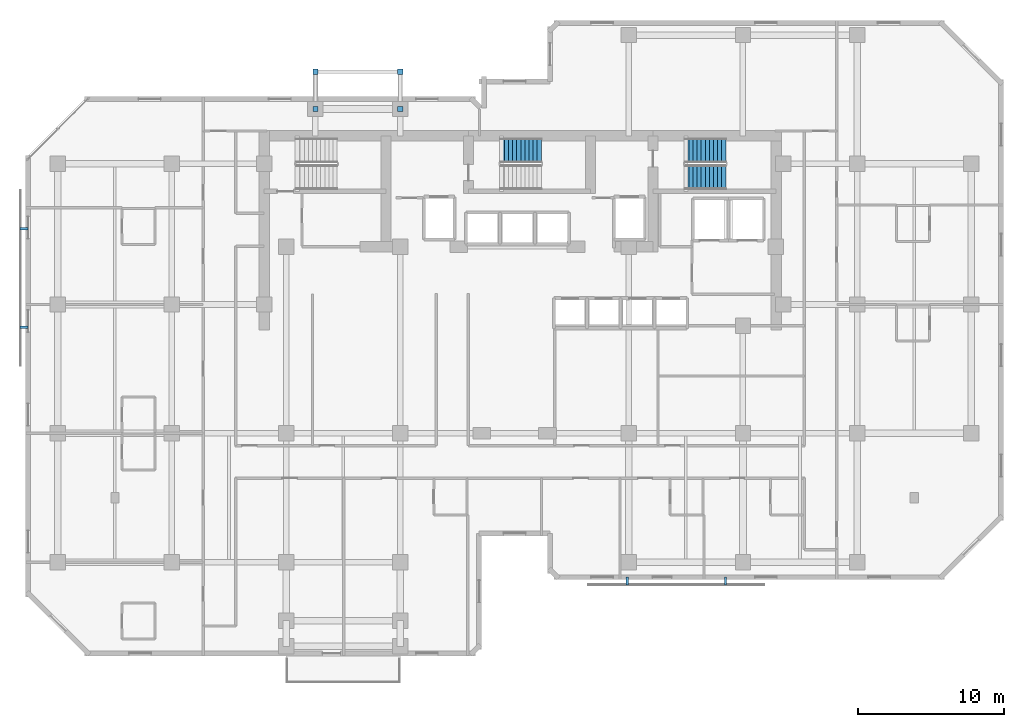
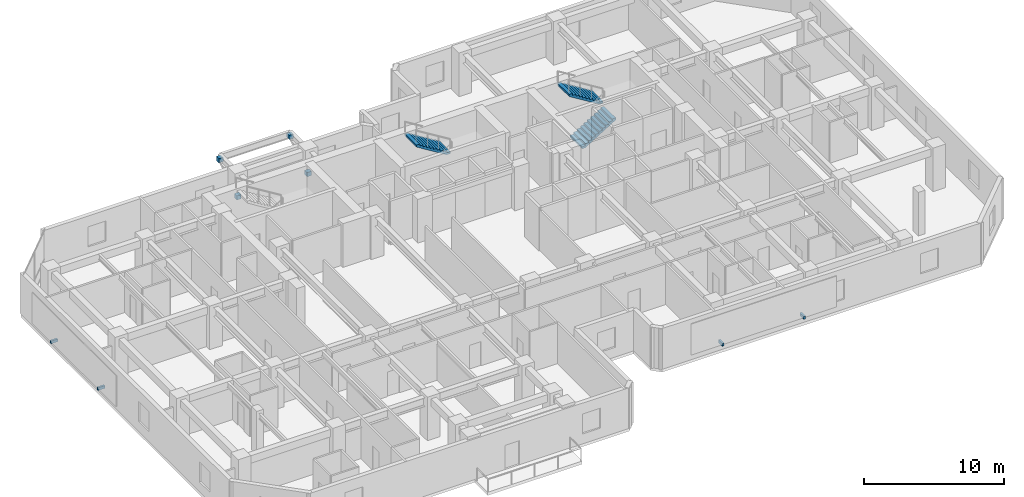
# One storey, part 9 of 11: 8 discrete accessories, 3 stair flights, 2 elements without a shape of their own.
"""IFC4 building model written with IfcOpenShell, lengths in metres."""

from ifc_helpers import new_model, si_unit, direction, frame, origin, origin_2d, place, context, subcontext, project, spatial, polyline, rectangle, outline, extrude, material, type_object, element, aggregate, save


model = new_model("IFC4")

# Units and contexts
model_context = context("Model", 3, precision=1e-05, world=origin(), true_north=direction((0.0, 1.0)))
body_context = subcontext(model_context, "Body", "Model", "MODEL_VIEW")
ifc_project = project(units=[si_unit("LENGTHUNIT", "METRE"), si_unit("AREAUNIT", "SQUARE_METRE"), si_unit("VOLUMEUNIT", "CUBIC_METRE"), si_unit("PLANEANGLEUNIT", "RADIAN"), si_unit("MASSUNIT", "GRAM", prefix="KILO")], contexts=[model_context])

# Site, building, storey
site_placement = place(None, origin())
site = spatial("IfcSite", under=ifc_project, at=site_placement, CompositionType="ELEMENT")
building_placement = place(site_placement, origin())
building = spatial("IfcBuilding", under=site, at=building_placement, Name="Kestravale Grand Hotel", CompositionType="ELEMENT")
storey_placement = place(building_placement, frame((0.0, 0.0, 172.60009765625)))
storey = spatial("IfcBuildingStorey", under=building, at=storey_placement, Name="L43", CompositionType="ELEMENT", Elevation=172.60009765625)

# Stair, stair flight
ifc_material_1 = material(Name="Concrete f'c 45 MPa", Category="concrete")
stair_type = type_object("IfcStairType", Name="ST-CORE-380", PredefinedType="HALF_TURN_STAIR", material=ifc_material_1)
stair_1_placement = place(storey_placement, origin())
stair_1 = element("IfcStair", 1, at=stair_1_placement, inside=storey, type_object=stair_type, Name="L43 ST-2", PredefinedType="HALF_TURN_STAIR")
ifc_material_2 = material(Name="Concrete f'c 45 MPa", Category="concrete")
stair_flight_type = type_object("IfcStairFlightType", Name="STF-CORE-380", PredefinedType="STRAIGHT", material=ifc_material_2)
stair_flight_1_placement = place(storey_placement, frame((40.830078125, 39.320068359375, 1.89990234375), z_axis=(0.0, 0.0, 1.0), x_axis=(-1.0, 0.0, 0.0)))
stair_flight_1 = element("IfcStairFlight", 2, at=stair_flight_1_placement, type_object=stair_flight_type, Name="ST-2 flight 2", NumberOfRisers=11, NumberOfTreads=10, PredefinedType="STRAIGHT", RiserHeight=0.172727273, TreadLength=0.28, context=body_context, shape_type="SweptSolid", body=[
    extrude(outline(polyline([(0.0, 0.0), (0.0, 0.172607421875), (0.280029296875, 0.172607421875), (0.280029296875, 0.345458984375), (0.56005859375, 0.345458984375), (0.56005859375, 0.51806640625), (0.840087890625, 0.51806640625), (0.840087890625, 0.69091796875), (1.1201171875, 0.69091796875), (1.1201171875, 0.863525390625), (1.39990234375, 0.863525390625), (1.39990234375, 1.036376953125), (1.679931640625, 1.036376953125), (1.679931640625, 1.208984375), (1.9599609375, 1.208984375), (1.9599609375, 1.3818359375), (2.239990234375, 1.3818359375), (2.239990234375, 1.554443359375), (2.52001953125, 1.554443359375), (2.52001953125, 1.727294921875), (2.800048828125, 1.727294921875), (2.800048828125, 1.89990234375), (2.800048828125, 1.551025390625), (0.285400390625, 0.0), (0.0, 0.0)])), frame((0.0, 0.83984375, 0.0), z_axis=(0.0, -1.0, 0.0), x_axis=(1.0, 0.0, 0.0)), (0.0, 0.0, 1.0), 1.679931640625),
])
aggregate(stair_1, [stair_flight_1])

# Stair, stair flights
stair_2_placement = place(storey_placement, origin())
stair_2 = element("IfcStair", 3, at=stair_2_placement, inside=storey, type_object=stair_type, Name="L43 ST-3", PredefinedType="HALF_TURN_STAIR")
stair_flight_2_placement = place(storey_placement, frame((50.6298828125, 37.489990234375, 0.0), z_axis=(0.0, 0.0, 1.0), x_axis=(1.0, 0.0, 0.0)))
stair_flight_2 = element("IfcStairFlight", 4, at=stair_flight_2_placement, type_object=stair_flight_type, Name="ST-3 flight 1", NumberOfRisers=11, NumberOfTreads=10, PredefinedType="STRAIGHT", RiserHeight=0.172727273, TreadLength=0.28, context=body_context, shape_type="SweptSolid", body=[
    extrude(outline(polyline([(0.0, 0.0), (0.0, 0.172607421875), (0.280029296875, 0.172607421875), (0.280029296875, 0.345458984375), (0.56005859375, 0.345458984375), (0.56005859375, 0.51806640625), (0.840087890625, 0.51806640625), (0.840087890625, 0.69091796875), (1.1201171875, 0.69091796875), (1.1201171875, 0.863525390625), (1.39990234375, 0.863525390625), (1.39990234375, 1.036376953125), (1.679931640625, 1.036376953125), (1.679931640625, 1.208984375), (1.9599609375, 1.208984375), (1.9599609375, 1.3818359375), (2.239990234375, 1.3818359375), (2.239990234375, 1.554443359375), (2.52001953125, 1.554443359375), (2.52001953125, 1.727294921875), (2.800048828125, 1.727294921875), (2.800048828125, 1.89990234375), (2.800048828125, 1.551025390625), (0.285400390625, 0.0), (0.0, 0.0)])), frame((0.0, 0.83984375, 0.0), z_axis=(0.0, -1.0, 0.0), x_axis=(1.0, 0.0, 0.0)), (0.0, 0.0, 1.0), 1.679931640625),
])
stair_flight_3_placement = place(storey_placement, frame((53.429931640625, 39.320068359375, 1.89990234375), z_axis=(0.0, 0.0, 1.0), x_axis=(-1.0, 0.0, 0.0)))
stair_flight_3 = element("IfcStairFlight", 5, at=stair_flight_3_placement, type_object=stair_flight_type, Name="ST-3 flight 2", NumberOfRisers=11, NumberOfTreads=10, PredefinedType="STRAIGHT", RiserHeight=0.172727273, TreadLength=0.28, context=body_context, shape_type="SweptSolid", body=[
    extrude(outline(polyline([(0.0, 0.0), (0.0, 0.172607421875), (0.280029296875, 0.172607421875), (0.280029296875, 0.345458984375), (0.56005859375, 0.345458984375), (0.56005859375, 0.51806640625), (0.840087890625, 0.51806640625), (0.840087890625, 0.69091796875), (1.1201171875, 0.69091796875), (1.1201171875, 0.863525390625), (1.39990234375, 0.863525390625), (1.39990234375, 1.036376953125), (1.679931640625, 1.036376953125), (1.679931640625, 1.208984375), (1.9599609375, 1.208984375), (1.9599609375, 1.3818359375), (2.239990234375, 1.3818359375), (2.239990234375, 1.554443359375), (2.52001953125, 1.554443359375), (2.52001953125, 1.727294921875), (2.800048828125, 1.727294921875), (2.800048828125, 1.89990234375), (2.800048828125, 1.551025390625), (0.285400390625, 0.0), (0.0, 0.0)])), frame((0.0, 0.83984375, 0.0), z_axis=(0.0, -1.0, 0.0), x_axis=(1.0, 0.0, 0.0)), (0.0, 0.0, 1.0), 1.679931640625),
])
aggregate(stair_2, [stair_flight_2, stair_flight_3])

# Discrete accessories
ifc_material_3 = material(Name="Steel ASTM A572 Grade 50 hot-dip galvanised bracket", Category="steel")
discrete_accessory_type = type_object("IfcDiscreteAccessoryType", Name="ACC-BRK-STL", PredefinedType="BRACKET", material=ifc_material_3)
for number, where, z_axis, x_axis, name in (
    (6, (25.39990234375, 42.14990234375, 1.19384765625), (0.0, 0.0, 1.0), (1.0, 0.0, 0.0), "L44 terrace strut column bracket 1"),
    (7, (25.39990234375, 44.699951171875, 2.89404296875), (0.0, 0.0, 1.0), (1.0, 0.0, 0.0), "L44 terrace strut beam bracket 1"),
    (8, (31.199951171875, 42.14990234375, 1.19384765625), (0.0, 0.0, 1.0), (1.0, 0.0, 0.0), "L44 terrace strut column bracket 2"),
    (9, (31.199951171875, 44.699951171875, 2.89404296875), (0.0, 0.0, 1.0), (1.0, 0.0, 0.0), "L44 terrace strut beam bracket 2"),
):
    element("IfcDiscreteAccessory", number, at=place(storey_placement, frame(where, z_axis=z_axis, x_axis=x_axis)), inside=storey, type_object=discrete_accessory_type, Name=name, PredefinedType="BRACKET", context=body_context, shape_type="SweptSolid", body=[
        extrude(rectangle(XDim=0.360107421875, YDim=0.360107421875, at=origin_2d()), origin(), (0.0, 0.0, 1.0), 0.360107421875),
    ])
for number, where, z_axis, x_axis, name in (
    (10, (46.68994140625, 9.905029296875, 0.56005859375), (0.0, 0.0, 1.0), (1.0, 0.0, 0.0), "L43 solar screen standoff bracket 1"),
    (11, (53.409912109375, 9.905029296875, 0.56005859375), (0.0, 0.0, 1.0), (1.0, 0.0, 0.0), "L43 solar screen standoff bracket 2"),
    (12, (5.5048828125, 33.9599609375, 0.56005859375), (0.0, 0.0, 1.0), (0.0, -1.0, 0.0), "L43 solar screen standoff bracket 1"),
    (13, (5.5048828125, 27.239990234375, 0.56005859375), (0.0, 0.0, 1.0), (0.0, -1.0, 0.0), "L43 solar screen standoff bracket 2"),
):
    element("IfcDiscreteAccessory", number, at=place(storey_placement, frame(where, z_axis=z_axis, x_axis=x_axis)), inside=storey, type_object=discrete_accessory_type, Name=name, PredefinedType="BRACKET", context=body_context, shape_type="SweptSolid", body=[
        extrude(rectangle(XDim=0.159912109375, YDim=0.56005859375, at=origin_2d()), origin(), (0.0, 0.0, 1.0), 0.239990234375),
    ])

save(model, "model.ifc")
